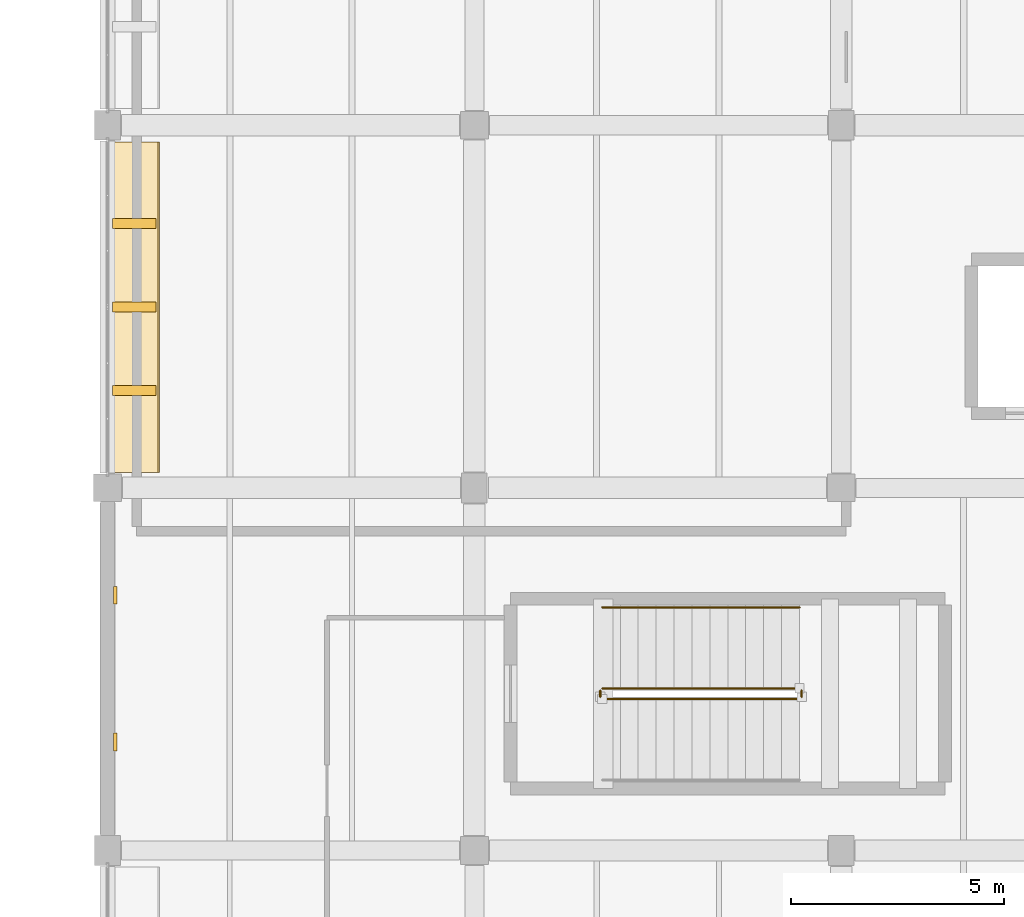
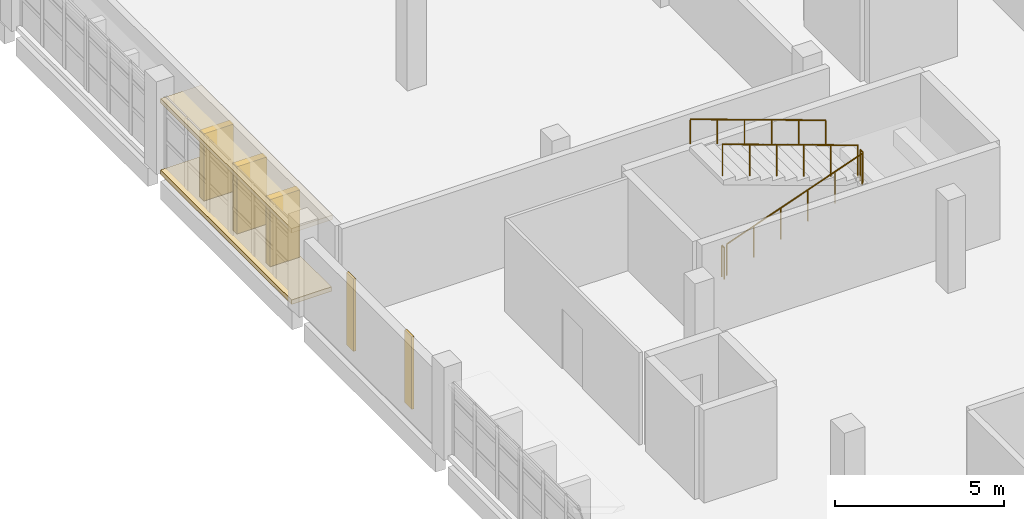
# One storey, part 88 of 93: 5 railings, 4 coverings, 3 shading devices.
"""IFC4 building model written with IfcOpenShell, lengths in metres."""

from ifc_helpers import new_model, si_unit, direction, frame, origin, origin_2d, place, context, subcontext, project, spatial, polyline, rectangle, circle, outline, extrude, material, layer, layer_set, type_object, element, save


model = new_model("IFC4")

# Units and contexts
model_context = context("Model", 3, precision=1e-05, world=origin(), true_north=direction((0.0, 1.0)))
body_context = subcontext(model_context, "Body", "Model", "MODEL_VIEW")
ifc_project = project(units=[si_unit("LENGTHUNIT", "METRE"), si_unit("AREAUNIT", "SQUARE_METRE"), si_unit("VOLUMEUNIT", "CUBIC_METRE"), si_unit("PLANEANGLEUNIT", "RADIAN"), si_unit("MASSUNIT", "GRAM", prefix="KILO")], contexts=[model_context])

# Site, building, storey
site_placement = place(None, origin())
site = spatial("IfcSite", under=ifc_project, at=site_placement, CompositionType="ELEMENT")
building_placement = place(site_placement, origin())
building = spatial("IfcBuilding", under=site, at=building_placement, Name="Varnakota Cinema and Media Centre", CompositionType="ELEMENT")
storey_placement = place(building_placement, frame((0.0, 0.0, 12.0)))
storey = spatial("IfcBuildingStorey", under=building, at=storey_placement, Name="L03", CompositionType="ELEMENT", Elevation=12.0)

# Coverings
ifc_material_1 = material(Name="Precast concrete M40", Category="concrete")
ifc_layer_1 = layer(ifc_material_1, 0.159912109375)
ifc_layer_set_1 = layer_set([ifc_layer_1], Name="Precast concrete M40")
covering_type_1 = type_object("IfcCoveringType", Name="COV-CHAJJA-160", PredefinedType="CLADDING", material=ifc_layer_set_1)
covering_1_placement = place(storey_placement, frame((0.0, 0.0, 2.574951171875)))
element("IfcCovering", 1, at=covering_1_placement, inside=storey, type_object=covering_type_1, Name="L03 Brutalist chajja overhang V5-W-3", PredefinedType="CLADDING", context=body_context, shape_type="SweptSolid", body=[
    extrude(outline(polyline([(-0.179931640625, 60.610107421875), (-0.179931640625, 52.864990234375), (1.219970703125, 52.864990234375), (1.219970703125, 60.610107421875), (-0.179931640625, 60.610107421875)])), origin(), (0.0, 0.0, 1.0), 0.16015625),
])
covering_2_placement = place(storey_placement, origin())
element("IfcCovering", 2, at=covering_2_placement, inside=storey, type_object=covering_type_1, Name="L03 brise-soleil base plinth V5-W-3", PredefinedType="CLADDING", context=body_context, shape_type="SweptSolid", body=[
    extrude(outline(polyline([(-0.179931640625, 60.610107421875), (-0.179931640625, 52.864990234375), (1.179931640625, 52.864990234375), (1.179931640625, 60.610107421875), (-0.179931640625, 60.610107421875)])), origin(), (0.0, 0.0, 1.0), 0.159912109375),
])
ifc_material_2 = material(Name="Pale Tandur limestone cladding", Category="masonry")
ifc_layer_2 = layer(ifc_material_2, 0.06005859375)
ifc_layer_set_2 = layer_set([ifc_layer_2], Name="Pale Tandur limestone cladding")
covering_type_2 = type_object("IfcCoveringType", Name="COV-TANDUR-ASHLAR-60", PredefinedType="CLADDING", material=ifc_layer_set_2)
for number, where, z_axis, x_axis, name in (
    (3, (0.18505859375, 49.98388671875, 0.06005859375), (0.0, 0.0, 1.0), (0.0, -1.0, 0.0), "L03 acoustic studio stone relief pilaster V5-W-4.1"),
    (4, (0.18505859375, 46.541015625, 0.06005859375), (0.0, 0.0, 1.0), (0.0, -1.0, 0.0), "L03 acoustic studio stone relief pilaster V5-W-4.2"),
):
    element("IfcCovering", number, at=place(storey_placement, frame(where, z_axis=z_axis, x_axis=x_axis)), inside=storey, type_object=covering_type_2, Name=name, PredefinedType="CLADDING", context=body_context, shape_type="SweptSolid", body=[
        extrude(rectangle(XDim=0.419921875, YDim=0.080078125, at=origin_2d()), origin(), (0.0, 0.0, 1.0), 2.614990234375),
    ])

# Railings
ifc_material_3 = material(Name="Structural steel Grade 350 (E350)", Category="steel")
ifc_layer_3 = layer(ifc_material_3, 0.050048828125)
ifc_layer_set_3 = layer_set([ifc_layer_3], Name="Structural steel Grade 350 (E350)")
railing_type_1 = type_object("IfcRailingType", Name="RAIL-STAIR-GUARD-1150", PredefinedType="GUARDRAIL", material=ifc_layer_set_3)
railing_1_placement = place(storey_placement, frame((11.60009765625, 47.550048828125, 0.14990234375)))
element("IfcRailing", 5, at=railing_1_placement, inside=storey, type_object=railing_type_1, Name="L03 ST-03 stair guard 1", PredefinedType="GUARDRAIL", context=body_context, shape_type="SweptSolid", body=[
    extrude(circle(Radius=0.02392578125, at=origin_2d()), frame((0.0, 0.0, 1.1259765625), z_axis=(0.941729525654, 0.0, 0.336371075617), x_axis=(0.0, 1.0, 0.0)), (0.0, 0.0, 1.0), 4.90576171875),
    extrude(circle(Radius=0.02099609375, at=origin_2d()), origin(), (0.0, 0.0, 1.0), 1.101806640625),
    extrude(circle(Radius=0.02099609375, at=origin_2d()), frame((0.924072265625, 0.0, 0.330078125)), (0.0, 0.0, 1.0), 1.101806640625),
    extrude(circle(Radius=0.02099609375, at=origin_2d()), frame((1.847900390625, 0.0, 0.66015625)), (0.0, 0.0, 1.0), 1.101806640625),
    extrude(circle(Radius=0.02099609375, at=origin_2d()), frame((2.77197265625, 0.0, 0.989990234375)), (0.0, 0.0, 1.0), 1.101806640625),
    extrude(circle(Radius=0.02099609375, at=origin_2d()), frame((3.69580078125, 0.0, 1.320068359375)), (0.0, 0.0, 1.0), 1.101806640625),
    extrude(circle(Radius=0.02099609375, at=origin_2d()), frame((4.619873046875, 0.0, 1.650146484375)), (0.0, 0.0, 1.0), 1.101806640625),
])
railing_2_placement = place(storey_placement, frame((16.27001953125, 47.60009765625, 1.800048828125)))
element("IfcRailing", 6, at=railing_2_placement, inside=storey, type_object=railing_type_1, Name="L03 ST-03 stair guard 2", PredefinedType="GUARDRAIL", context=body_context, shape_type="SweptSolid", body=[
    extrude(circle(Radius=0.02392578125, at=origin_2d()), frame((0.0, 0.0, 1.1259765625), z_axis=(0.0, 1.0, 0.0), x_axis=(-1.0, 0.0, 0.0)), (0.0, 0.0, 1.0), 0.14990234375),
    extrude(circle(Radius=0.02099609375, at=origin_2d()), origin(), (0.0, 0.0, 1.0), 1.101806640625),
    extrude(circle(Radius=0.02099609375, at=origin_2d()), frame((0.0, 0.14990234375, 0.0)), (0.0, 0.0, 1.0), 1.101806640625),
])
railing_3_placement = place(storey_placement, frame((16.219970703125, 47.800048828125, 1.949951171875)))
element("IfcRailing", 7, at=railing_3_placement, inside=storey, type_object=railing_type_1, Name="L03 ST-03 stair guard 3", PredefinedType="GUARDRAIL", context=body_context, shape_type="SweptSolid", body=[
    extrude(circle(Radius=0.02392578125, at=origin_2d()), frame((0.0, 0.0, 1.1259765625), z_axis=(-0.941729525654, 0.0, 0.336371075617), x_axis=(0.0, -1.0, 0.0)), (0.0, 0.0, 1.0), 4.90576171875),
    extrude(circle(Radius=0.02099609375, at=origin_2d()), origin(), (0.0, 0.0, 1.0), 1.101806640625),
    extrude(circle(Radius=0.02099609375, at=origin_2d()), frame((-0.924072265625, 0.0, 0.330078125)), (0.0, 0.0, 1.0), 1.101806640625),
    extrude(circle(Radius=0.02099609375, at=origin_2d()), frame((-1.847900390625, 0.0, 0.66015625)), (0.0, 0.0, 1.0), 1.101806640625),
    extrude(circle(Radius=0.02099609375, at=origin_2d()), frame((-2.77197265625, 0.0, 0.989990234375)), (0.0, 0.0, 1.0), 1.101806640625),
    extrude(circle(Radius=0.02099609375, at=origin_2d()), frame((-3.69580078125, 0.0, 1.320068359375)), (0.0, 0.0, 1.0), 1.101806640625),
    extrude(circle(Radius=0.02099609375, at=origin_2d()), frame((-4.619873046875, 0.0, 1.650146484375)), (0.0, 0.0, 1.0), 1.101806640625),
])
railing_4_placement = place(storey_placement, frame((11.550048828125, 47.60009765625, 0.0)))
element("IfcRailing", 8, at=railing_4_placement, inside=storey, type_object=railing_type_1, Name="L03 ST-03 stair guard 4", PredefinedType="GUARDRAIL", context=body_context, shape_type="SweptSolid", body=[
    extrude(circle(Radius=0.02392578125, at=origin_2d()), frame((0.0, 0.0, 1.1259765625), z_axis=(0.0, 1.0, 0.0), x_axis=(-1.0, 0.0, 0.0)), (0.0, 0.0, 1.0), 0.14990234375),
    extrude(circle(Radius=0.02099609375, at=origin_2d()), origin(), (0.0, 0.0, 1.0), 1.101806640625),
    extrude(circle(Radius=0.02099609375, at=origin_2d()), frame((0.0, 0.14990234375, 0.0)), (0.0, 0.0, 1.0), 1.101806640625),
])
ifc_material_4 = material(Name="Structural steel Grade 350 (E350)", Category="steel")
ifc_layer_4 = layer(ifc_material_4, 0.048095703125)
ifc_layer_set_4 = layer_set([ifc_layer_4], Name="Structural steel Grade 350 (E350)")
railing_type_2 = type_object("IfcRailingType", Name="RAIL-STAIR-HAND-900", PredefinedType="HANDRAIL", material=ifc_layer_set_4)
railing_5_placement = place(storey_placement, frame((16.219970703125, 49.699951171875, 1.949951171875)))
element("IfcRailing", 9, at=railing_5_placement, inside=storey, type_object=railing_type_2, Name="L03 ST-03 stair handrail 2", PredefinedType="HANDRAIL", context=body_context, shape_type="SweptSolid", body=[
    extrude(circle(Radius=0.02392578125, at=origin_2d()), frame((0.0, 0.0, 0.8759765625), z_axis=(-0.941729525654, 0.0, 0.336371075617), x_axis=(0.0, -1.0, 0.0)), (0.0, 0.0, 1.0), 4.90576171875),
    extrude(circle(Radius=0.02099609375, at=origin_2d()), origin(), (0.0, 0.0, 1.0), 0.851806640625),
    extrude(circle(Radius=0.02099609375, at=origin_2d()), frame((-0.924072265625, 0.0, 0.330078125)), (0.0, 0.0, 1.0), 0.851806640625),
    extrude(circle(Radius=0.02099609375, at=origin_2d()), frame((-1.847900390625, 0.0, 0.66015625)), (0.0, 0.0, 1.0), 0.851806640625),
    extrude(circle(Radius=0.02099609375, at=origin_2d()), frame((-2.77197265625, 0.0, 0.989990234375)), (0.0, 0.0, 1.0), 0.851806640625),
    extrude(circle(Radius=0.02099609375, at=origin_2d()), frame((-3.69580078125, 0.0, 1.320068359375)), (0.0, 0.0, 1.0), 0.851806640625),
    extrude(circle(Radius=0.02099609375, at=origin_2d()), frame((-4.619873046875, 0.0, 1.650146484375)), (0.0, 0.0, 1.0), 0.851806640625),
])

# Shading devices
ifc_material_5 = material(Name="Precast concrete M40", Category="concrete")
shading_device_type = type_object("IfcShadingDeviceType", Name="SHD-BRISE-FIN-240", PredefinedType="JALOUSIE", material=ifc_material_5)
for number, where, z_axis, x_axis, name in (
    (10, (0.6298828125, 58.69384765625, 0.14990234375), (0.0, 0.0, 1.0), (0.0, -1.0, 0.0), "L03 vertical concrete brise-soleil fin V5-W-3.1"),
    (11, (0.6298828125, 56.737548828125, 0.14990234375), (0.0, 0.0, 1.0), (0.0, -1.0, 0.0), "L03 vertical concrete brise-soleil fin V5-W-3.2"),
    (12, (0.6298828125, 54.78125, 0.14990234375), (0.0, 0.0, 1.0), (0.0, -1.0, 0.0), "L03 vertical concrete brise-soleil fin V5-W-3.3"),
):
    element("IfcShadingDevice", number, at=place(storey_placement, frame(where, z_axis=z_axis, x_axis=x_axis)), inside=storey, type_object=shading_device_type, Name=name, PredefinedType="JALOUSIE", context=body_context, shape_type="SweptSolid", body=[
        extrude(rectangle(XDim=0.239990234375, YDim=1.02001953125, at=origin_2d()), origin(), (0.0, 0.0, 1.0), 2.43505859375),
    ])

save(model, "model.ifc")
